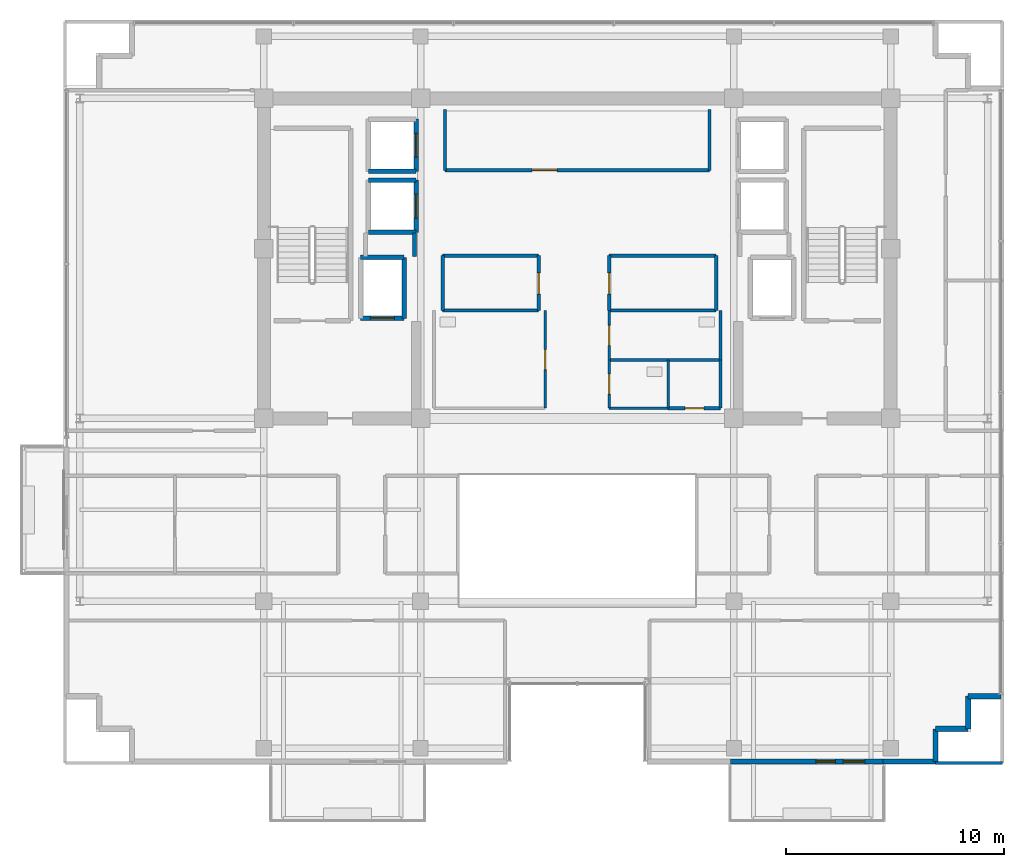
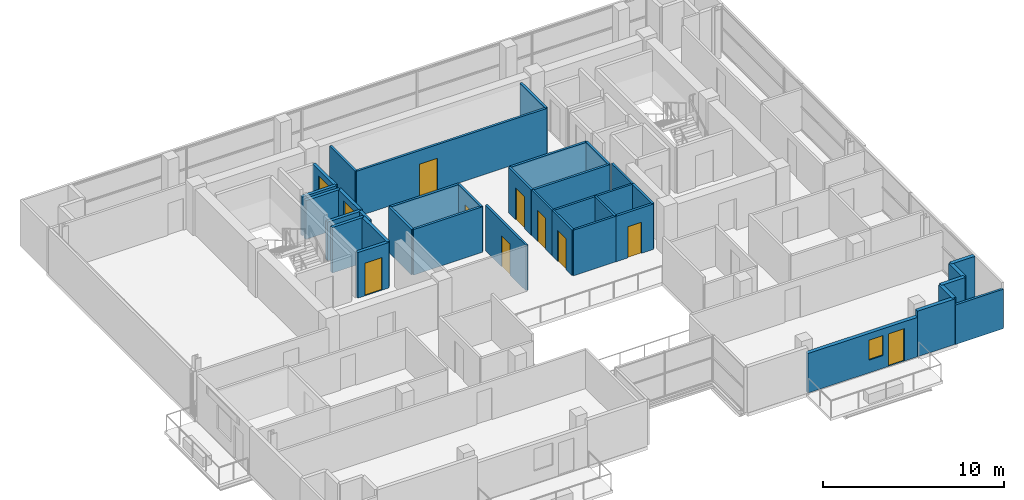
# One storey, part 16 of 22: 36 walls, 11 doors, 1 window, 12 openings.
"""IFC4 building model written with IfcOpenShell, lengths in metres."""

from ifc_helpers import new_model, si_unit, direction, frame, frame_2d, origin, place, context, subcontext, project, spatial, rectangle, extrude, source, transform, mapped, material, layer, layer_set, type_object, element, fill, save


model = new_model("IFC4")

# Units and contexts
model_context = context("Model", 3, precision=1e-05, world=origin(), true_north=direction((0.0, 1.0)))
body_context = subcontext(model_context, "Body", "Model", "MODEL_VIEW")
ifc_project = project(units=[si_unit("LENGTHUNIT", "METRE"), si_unit("AREAUNIT", "SQUARE_METRE"), si_unit("VOLUMEUNIT", "CUBIC_METRE"), si_unit("PLANEANGLEUNIT", "RADIAN"), si_unit("MASSUNIT", "GRAM", prefix="KILO")], contexts=[model_context])

# Site, building, storey
site_placement = place(None, origin())
site = spatial("IfcSite", under=ifc_project, at=site_placement, CompositionType="ELEMENT")
building_placement = place(site_placement, origin())
building = spatial("IfcBuilding", under=site, at=building_placement, Name="Zarnakvel Exchange Tower", CompositionType="ELEMENT")
storey_placement = place(building_placement, frame((0.0, 0.0, 215.5)))
storey = spatial("IfcBuildingStorey", under=building, at=storey_placement, Name="L60", CompositionType="ELEMENT", Elevation=215.5)

# Wall, openings, door, window
ifc_material_1 = material(Name="Precast concrete C40/50", Category="concrete")
ifc_layer_1 = layer(ifc_material_1, 0.239990234375)
ifc_layer_set_1 = layer_set([ifc_layer_1], Name="Precast concrete C40/50")
wall_type_1 = type_object("IfcWallType", Name="EW-02", PredefinedType="SOLIDWALL", material=ifc_layer_set_1)
wall_1_placement = place(storey_placement, frame((14.050048828125, -16.9599609375, 0.0), z_axis=(0.0, 0.0, 1.0), x_axis=(-1.0, 0.0, 0.0)))
wall_1 = element("IfcWall", 1, at=wall_1_placement, inside=storey, type_object=wall_type_1, Name="L60 Exterior Precast Spandrel Wall EW-BAL-L60-SE (EW-02)", PredefinedType="SOLIDWALL", context=body_context, shape_type="SweptSolid", body=[
    extrude(rectangle(XDim=7.0, YDim=0.239990234375, at=frame_2d((3.5, 0.0))), origin(), (0.0, 0.0, 1.0), 2.6650390625),
])
opening_1_placement = place(wall_1_placement, frame((0.840087890625, 0.0, 0.0)))
opening_1 = element("IfcOpeningElement", 2, at=opening_1_placement, cuts=wall_1, Name="Opening BD-L60-02", PredefinedType="OPENING", context=body_context, shape_type="SweptSolid", body=[
    extrude(rectangle(XDim=1.0, YDim=2.199951171875, at=frame_2d((0.5, 1.10009765625))), frame((0.0, 0.1298828125, 0.0), z_axis=(0.0, -1.0, 0.0), x_axis=(1.0, 0.0, 0.0)), (0.0, 0.0, 1.0), 0.260009765625),
])
opening_2_placement = place(wall_1_placement, frame((2.18994140625, 0.0, 0.85009765625)))
opening_2 = element("IfcOpeningElement", 3, at=opening_2_placement, cuts=wall_1, Name="Opening WN-06", PredefinedType="OPENING", context=body_context, shape_type="SweptSolid", body=[
    extrude(rectangle(XDim=0.89990234375, YDim=1.35009765625, at=frame_2d((0.449951171875, 0.675048828125))), frame((0.0, 0.1298828125, 0.0), z_axis=(0.0, -1.0, 0.0), x_axis=(1.0, 0.0, 0.0)), (0.0, 0.0, 1.0), 0.260009765625),
])
ifc_material_2 = material(Name="Architectural Bronze Anodised Aluminium", Category="aluminium")
door_type_1 = type_object("IfcDoorType", Name="DT-09", OperationType="NOTDEFINED", PredefinedType="DOOR", material=ifc_material_2)
shared_shape_1 = source(origin(), body_context, "Body", "SweptSolid", [
    extrude(rectangle(XDim=1.0, YDim=2.199951171875, at=frame_2d((0.5, 1.10009765625))), frame((0.0, 0.02490234375, 0.0), z_axis=(0.0, -1.0, 0.0), x_axis=(1.0, 0.0, 0.0)), (0.0, 0.0, 1.0), 0.050048828125),
])
door_1_placement = place(opening_1_placement, origin())
door_1 = element("IfcDoor", 4, at=door_1_placement, inside=storey, type_object=door_type_1, Name="L60 Planted Loggia Balcony Door BD-L60-02", OperationType="SINGLE_SWING_LEFT", OverallHeight=2.199951171875, OverallWidth=1.0, PredefinedType="DOOR", context=body_context, shape_type="MappedRepresentation", body=[
    mapped(shared_shape_1, transform((0.0, 0.0, 0.0), x_axis=(1.0, 0.0, 0.0), y_axis=(0.0, 1.0, 0.0), z_axis=(0.0, 0.0, 1.0), scale=1.0)),
])
fill(opening_1, door_1)
ifc_material_3 = material(Name="Double Low-E Laminated Vision Glass", Category="glass")
window_type = type_object("IfcWindowType", Name="WN-06", PartitioningType="SINGLE_PANEL", PredefinedType="WINDOW", material=ifc_material_3)
shared_shape_2 = source(origin(), body_context, "Body", "SweptSolid", [
    extrude(rectangle(XDim=0.89990234375, YDim=1.35009765625, at=frame_2d((0.449951171875, 0.675048828125))), frame((0.0, 0.030029296875, 0.0), z_axis=(0.0, -1.0, 0.0), x_axis=(1.0, 0.0, 0.0)), (0.0, 0.0, 1.0), 0.06005859375),
])
window_placement = place(opening_2_placement, origin())
window = element("IfcWindow", 5, at=window_placement, inside=storey, type_object=window_type, Name="L60 Loggia Daylight Window (WN-06)", OverallHeight=1.35009765625, OverallWidth=0.89990234375, PartitioningType="SINGLE_PANEL", PredefinedType="WINDOW", context=body_context, shape_type="MappedRepresentation", body=[
    mapped(shared_shape_2, transform((0.0, 0.0, 0.0), x_axis=(1.0, 0.0, 0.0), y_axis=(0.0, 1.0, 0.0), z_axis=(0.0, 0.0, 1.0), scale=1.0)),
])
fill(opening_2, window)

# Walls
for number, where, z_axis, x_axis, name in (
    (6, (17.9599609375, -13.9599609375, 0.0), (0.0, 0.0, 1.0), (1.0, 0.0, 0.0), "L60 Exterior Precast Spandrel Wall EWC-L60-11 (EW-02)"),
    (7, (17.9599609375, -15.4599609375, 0.0), (0.0, 0.0, 1.0), (0.0, 1.0, 0.0), "L60 Exterior Precast Spandrel Wall EWC-L60-12 (EW-02)"),
    (8, (16.4599609375, -15.4599609375, 0.0), (0.0, 0.0, 1.0), (1.0, 0.0, 0.0), "L60 Exterior Precast Spandrel Wall EWC-L60-13 (EW-02)"),
    (9, (16.4599609375, -16.9599609375, 0.0), (0.0, 0.0, 1.0), (0.0, 1.0, 0.0), "L60 Exterior Precast Spandrel Wall EWC-L60-14 (EW-02)"),
):
    element("IfcWall", number, at=place(storey_placement, frame(where, z_axis=z_axis, x_axis=x_axis)), inside=storey, type_object=wall_type_1, Name=name, PredefinedType="SOLIDWALL", context=body_context, shape_type="SweptSolid", body=[
        extrude(rectangle(XDim=1.5, YDim=0.239990234375, at=frame_2d((0.75, 0.0))), origin(), (0.0, 0.0, 1.0), 3.074951171875),
    ])
wall_2_placement = place(storey_placement, frame((14.050048828125, -16.9599609375, 0.0), z_axis=(0.0, 0.0, 1.0), x_axis=(1.0, 0.0, 0.0)))
element("IfcWall", 10, at=wall_2_placement, inside=storey, type_object=wall_type_1, Name="L60 Exterior Precast Spandrel Wall EWC-L60-15 (EW-02)", PredefinedType="SOLIDWALL", context=body_context, shape_type="SweptSolid", body=[
    extrude(rectangle(XDim=2.409912109375, YDim=0.239990234375, at=frame_2d((1.205078125, 0.0))), origin(), (0.0, 0.0, 1.0), 3.074951171875),
])

# Wall, opening, door
ifc_material_4 = material(Name="Fire-Rated Gypsum Stud Partition", Category="gypsum")
ifc_layer_2 = layer(ifc_material_4, 0.14990234375)
ifc_layer_set_2 = layer_set([ifc_layer_2], Name="Fire-Rated Gypsum Stud Partition")
wall_type_2 = type_object("IfcWallType", Name="PT-01", PredefinedType="PARTITIONING", material=ifc_layer_set_2)
wall_3_placement = place(storey_placement, frame((6.080078125, 10.199951171875, 0.0), z_axis=(0.0, 0.0, 1.0), x_axis=(-1.0, 0.0, 0.0)))
wall_3 = element("IfcWall", 11, at=wall_3_placement, inside=storey, type_object=wall_type_2, Name="L60 Partition Wall PWALL-L60-011 (PT-01)", PredefinedType="PARTITIONING", context=body_context, shape_type="SweptSolid", body=[
    extrude(rectangle(XDim=12.16015625, YDim=0.14990234375, at=frame_2d((6.080078125, 0.0))), origin(), (0.0, 0.0, 1.0), 3.074951171875),
])
opening_3_placement = place(wall_3_placement, frame((7.0048828125, 0.0, 0.0)))
opening_3 = element("IfcOpeningElement", 12, at=opening_3_placement, cuts=wall_3, Name="Opening D-L60-05", PredefinedType="OPENING", context=body_context, shape_type="SweptSolid", body=[
    extrude(rectangle(XDim=1.14990234375, YDim=2.14990234375, at=frame_2d((0.574951171875, 1.074951171875))), frame((0.0, 0.0849609375, 0.0), z_axis=(0.0, -1.0, 0.0), x_axis=(1.0, 0.0, 0.0)), (0.0, 0.0, 1.0), 0.169921875),
])
ifc_material_5 = material(Name="Painted Galvanised Steel S355", Category="steel")
door_type_2 = type_object("IfcDoorType", Name="DT-04", OperationType="NOTDEFINED", PredefinedType="DOOR", material=ifc_material_5)
shared_shape_3 = source(origin(), body_context, "Body", "SweptSolid", [
    extrude(rectangle(XDim=1.14990234375, YDim=2.14990234375, at=frame_2d((0.574951171875, 1.074951171875))), frame((0.0, 0.02490234375, 0.0), z_axis=(0.0, -1.0, 0.0), x_axis=(1.0, 0.0, 0.0)), (0.0, 0.0, 1.0), 0.050048828125),
])
door_2_placement = place(opening_3_placement, origin())
door_2 = element("IfcDoor", 13, at=door_2_placement, inside=storey, type_object=door_type_2, Name="L60 Market Data Archive Suite Door D-L60-05", OperationType="SINGLE_SWING_LEFT", OverallHeight=2.14990234375, OverallWidth=1.14990234375, PredefinedType="DOOR", context=body_context, shape_type="MappedRepresentation", body=[
    mapped(shared_shape_3, transform((0.0, 0.0, 0.0), x_axis=(1.0, 0.0, 0.0), y_axis=(0.0, 1.0, 0.0), z_axis=(0.0, 0.0, 1.0), scale=1.0)),
])
fill(opening_3, door_2)

# Walls
for number, where, z_axis, x_axis, name in (
    (14, (-6.080078125, 10.199951171875, 0.0), (0.0, 0.0, 1.0), (0.0, 1.0, 0.0), "L60 Partition Wall PWALL-L60-012 (PT-01)"),
    (15, (6.080078125, 13.0, 0.0), (0.0, 0.0, 1.0), (0.0, -1.0, 0.0), "L60 Partition Wall PWALL-L60-013 (PT-01)"),
):
    element("IfcWall", number, at=place(storey_placement, frame(where, z_axis=z_axis, x_axis=x_axis)), inside=storey, type_object=wall_type_2, Name=name, PredefinedType="PARTITIONING", context=body_context, shape_type="SweptSolid", body=[
        extrude(rectangle(XDim=2.800048828125, YDim=0.14990234375, at=frame_2d((1.39990234375, 0.0))), origin(), (0.0, 0.0, 1.0), 3.074951171875),
    ])
for number, where, z_axis, x_axis, name in (
    (16, (-1.77001953125, 3.760009765625, 0.0), (0.0, 0.0, 1.0), (-1.0, 0.0, 0.0), "L60 Partition Wall PWALL-L60-014 (PT-01)"),
    (17, (-6.179931640625, 6.280029296875, 0.0), (0.0, 0.0, 1.0), (1.0, 0.0, 0.0), "L60 Partition Wall PWALL-L60-015 (PT-01)"),
):
    element("IfcWall", number, at=place(storey_placement, frame(where, z_axis=z_axis, x_axis=x_axis)), inside=storey, type_object=wall_type_2, Name=name, PredefinedType="PARTITIONING", context=body_context, shape_type="SweptSolid", body=[
        extrude(rectangle(XDim=4.409912109375, YDim=0.14990234375, at=frame_2d((2.205078125, 0.0))), origin(), (0.0, 0.0, 1.0), 3.074951171875),
    ])
wall_4_placement = place(storey_placement, frame((-6.179931640625, 3.760009765625, 0.0), z_axis=(0.0, 0.0, 1.0), x_axis=(0.0, 1.0, 0.0)))
element("IfcWall", 18, at=wall_4_placement, inside=storey, type_object=wall_type_2, Name="L60 Partition Wall PWALL-L60-016 (PT-01)", PredefinedType="PARTITIONING", context=body_context, shape_type="SweptSolid", body=[
    extrude(rectangle(XDim=2.52001953125, YDim=0.14990234375, at=frame_2d((1.260009765625, 0.0))), origin(), (0.0, 0.0, 1.0), 3.074951171875),
])

# Wall, opening, door
wall_5_placement = place(storey_placement, frame((-1.77001953125, 6.280029296875, 0.0), z_axis=(0.0, 0.0, 1.0), x_axis=(0.0, -1.0, 0.0)))
wall_5 = element("IfcWall", 19, at=wall_5_placement, inside=storey, type_object=wall_type_2, Name="L60 Partition Wall PWALL-L60-017 (PT-01)", PredefinedType="PARTITIONING", context=body_context, shape_type="SweptSolid", body=[
    extrude(rectangle(XDim=2.52001953125, YDim=0.14990234375, at=frame_2d((1.260009765625, 0.0))), origin(), (0.0, 0.0, 1.0), 3.074951171875),
])
opening_4_placement = place(wall_5_placement, frame((0.7900390625, 0.0, 0.0)))
opening_4 = element("IfcOpeningElement", 20, at=opening_4_placement, cuts=wall_5, Name="Opening D-L60-06", PredefinedType="OPENING", context=body_context, shape_type="SweptSolid", body=[
    extrude(rectangle(XDim=0.97998046875, YDim=2.14990234375, at=frame_2d((0.489990234375, 1.074951171875))), frame((0.0, 0.0849609375, 0.0), z_axis=(0.0, -1.0, 0.0), x_axis=(1.0, 0.0, 0.0)), (0.0, 0.0, 1.0), 0.169921875),
])
ifc_material_6 = material(Name="Timber Acoustic Veneer", Category="wood")
door_type_3 = type_object("IfcDoorType", Name="DT-05", OperationType="NOTDEFINED", PredefinedType="DOOR", material=ifc_material_6)
shared_shape_4 = source(origin(), body_context, "Body", "SweptSolid", [
    extrude(rectangle(XDim=0.97998046875, YDim=2.14990234375, at=frame_2d((0.489990234375, 1.074951171875))), frame((0.0, 0.02490234375, 0.0), z_axis=(0.0, -1.0, 0.0), x_axis=(1.0, 0.0, 0.0)), (0.0, 0.0, 1.0), 0.050048828125),
])
door_3_placement = place(opening_4_placement, origin())
door_3 = element("IfcDoor", 21, at=door_3_placement, inside=storey, type_object=door_type_3, Name="L60 Sovereign Compliance Office Door D-L60-06", OperationType="SINGLE_SWING_RIGHT", OverallHeight=2.14990234375, OverallWidth=0.97998046875, PredefinedType="DOOR", context=body_context, shape_type="MappedRepresentation", body=[
    mapped(shared_shape_4, transform((0.0, 0.0, 0.0), x_axis=(1.0, 0.0, 0.0), y_axis=(0.0, 1.0, 0.0), z_axis=(0.0, 0.0, 1.0), scale=1.0)),
])
fill(opening_4, door_3)

# Walls
for number, where, z_axis, x_axis, name in (
    (22, (6.3798828125, 3.760009765625, 0.0), (0.0, 0.0, 1.0), (-1.0, 0.0, 0.0), "L60 Partition Wall PWALL-L60-018 (PT-01)"),
    (23, (1.469970703125, 6.280029296875, 0.0), (0.0, 0.0, 1.0), (1.0, 0.0, 0.0), "L60 Partition Wall PWALL-L60-019 (PT-01)"),
):
    element("IfcWall", number, at=place(storey_placement, frame(where, z_axis=z_axis, x_axis=x_axis)), inside=storey, type_object=wall_type_2, Name=name, PredefinedType="PARTITIONING", context=body_context, shape_type="SweptSolid", body=[
        extrude(rectangle(XDim=4.909912109375, YDim=0.14990234375, at=frame_2d((2.455078125, 0.0))), origin(), (0.0, 0.0, 1.0), 3.074951171875),
    ])

# Wall, opening, door
wall_6_placement = place(storey_placement, frame((1.469970703125, 3.760009765625, 0.0), z_axis=(0.0, 0.0, 1.0), x_axis=(0.0, 1.0, 0.0)))
wall_6 = element("IfcWall", 24, at=wall_6_placement, inside=storey, type_object=wall_type_2, Name="L60 Partition Wall PWALL-L60-020 (PT-01)", PredefinedType="PARTITIONING", context=body_context, shape_type="SweptSolid", body=[
    extrude(rectangle(XDim=2.52001953125, YDim=0.14990234375, at=frame_2d((1.260009765625, 0.0))), origin(), (0.0, 0.0, 1.0), 3.074951171875),
])
opening_5_placement = place(wall_6_placement, frame((0.75, 0.0, 0.0)))
opening_5 = element("IfcOpeningElement", 25, at=opening_5_placement, cuts=wall_6, Name="Opening D-L60-07", PredefinedType="OPENING", context=body_context, shape_type="SweptSolid", body=[
    extrude(rectangle(XDim=0.97998046875, YDim=2.14990234375, at=frame_2d((0.489990234375, 1.074951171875))), frame((0.0, 0.0849609375, 0.0), z_axis=(0.0, -1.0, 0.0), x_axis=(1.0, 0.0, 0.0)), (0.0, 0.0, 1.0), 0.169921875),
])
door_4_placement = place(opening_5_placement, origin())
door_4 = element("IfcDoor", 26, at=door_4_placement, inside=storey, type_object=door_type_3, Name="L60 Depository Legal Office Door D-L60-07", OperationType="SINGLE_SWING_LEFT", OverallHeight=2.14990234375, OverallWidth=0.97998046875, PredefinedType="DOOR", context=body_context, shape_type="MappedRepresentation", body=[
    mapped(shared_shape_4, transform((0.0, 0.0, 0.0), x_axis=(1.0, 0.0, 0.0), y_axis=(0.0, 1.0, 0.0), z_axis=(0.0, 0.0, 1.0), scale=1.0)),
])
fill(opening_5, door_4)

# Wall
wall_7_placement = place(storey_placement, frame((6.3798828125, 6.280029296875, 0.0), z_axis=(0.0, 0.0, 1.0), x_axis=(0.0, -1.0, 0.0)))
element("IfcWall", 27, at=wall_7_placement, inside=storey, type_object=wall_type_2, Name="L60 Partition Wall PWALL-L60-021 (PT-01)", PredefinedType="PARTITIONING", context=body_context, shape_type="SweptSolid", body=[
    extrude(rectangle(XDim=2.52001953125, YDim=0.14990234375, at=frame_2d((1.260009765625, 0.0))), origin(), (0.0, 0.0, 1.0), 3.074951171875),
])

# Wall, opening, door
wall_8_placement = place(storey_placement, frame((6.580078125, -0.72998046875, 0.0), z_axis=(0.0, 0.0, 1.0), x_axis=(-1.0, 0.0, 0.0)))
wall_8 = element("IfcWall", 28, at=wall_8_placement, inside=storey, type_object=wall_type_2, Name="L60 Partition Wall PWALL-L60-031 (PT-01)", PredefinedType="PARTITIONING", context=body_context, shape_type="SweptSolid", body=[
    extrude(rectangle(XDim=2.400146484375, YDim=0.14990234375, at=frame_2d((1.2001953125, 0.0))), origin(), (0.0, 0.0, 1.0), 3.074951171875),
])
opening_6_placement = place(wall_8_placement, frame((0.760009765625, 0.0, 0.0)))
opening_6 = element("IfcOpeningElement", 29, at=opening_6_placement, cuts=wall_8, Name="Opening D-L60-11", PredefinedType="OPENING", context=body_context, shape_type="SweptSolid", body=[
    extrude(rectangle(XDim=0.8798828125, YDim=2.10009765625, at=frame_2d((0.43994140625, 1.050048828125))), frame((0.0, 0.0849609375, 0.0), z_axis=(0.0, -1.0, 0.0), x_axis=(1.0, 0.0, 0.0)), (0.0, 0.0, 1.0), 0.169921875),
])
door_type_4 = type_object("IfcDoorType", Name="DT-08", OperationType="NOTDEFINED", PredefinedType="DOOR", material=ifc_material_5)
shared_shape_5 = source(origin(), body_context, "Body", "SweptSolid", [
    extrude(rectangle(XDim=0.8798828125, YDim=2.10009765625, at=frame_2d((0.43994140625, 1.050048828125))), frame((0.0, 0.02490234375, 0.0), z_axis=(0.0, -1.0, 0.0), x_axis=(1.0, 0.0, 0.0)), (0.0, 0.0, 1.0), 0.050048828125),
])
door_5_placement = place(opening_6_placement, origin())
door_5 = element("IfcDoor", 30, at=door_5_placement, inside=storey, type_object=door_type_4, Name="L60 Cleaners Store Door D-L60-11", OperationType="SINGLE_SWING_LEFT", OverallHeight=2.10009765625, OverallWidth=0.8798828125, PredefinedType="DOOR", context=body_context, shape_type="MappedRepresentation", body=[
    mapped(shared_shape_5, transform((0.0, 0.0, 0.0), x_axis=(1.0, 0.0, 0.0), y_axis=(0.0, 1.0, 0.0), z_axis=(0.0, 0.0, 1.0), scale=1.0)),
])
fill(opening_6, door_5)

# Walls
wall_9_placement = place(storey_placement, frame((6.580078125, 1.47998046875, 0.0), z_axis=(0.0, 0.0, 1.0), x_axis=(0.0, -1.0, 0.0)))
element("IfcWall", 31, at=wall_9_placement, inside=storey, type_object=wall_type_2, Name="L60 Partition Wall PWALL-L60-032 (PT-01)", PredefinedType="PARTITIONING", context=body_context, shape_type="SweptSolid", body=[
    extrude(rectangle(XDim=2.2099609375, YDim=0.14990234375, at=frame_2d((1.10498046875, 0.0))), origin(), (0.0, 0.0, 1.0), 3.074951171875),
])
wall_10_placement = place(storey_placement, frame((19.530029296875, -17.030029296875, 0.0), z_axis=(0.0, 0.0, 1.0), x_axis=(-1.0, 0.0, 0.0)))
element("IfcWall", 32, at=wall_10_placement, inside=storey, type_object=wall_type_2, Name="L60 Partition Wall PWALL-L60-051 (PT-01)", PredefinedType="PARTITIONING", context=body_context, shape_type="SweptSolid", body=[
    extrude(rectangle(XDim=3.070068359375, YDim=0.14990234375, at=frame_2d((1.53515625, 0.0))), origin(), (0.0, 0.0, 1.0), 2.6650390625),
])
ifc_layer_3 = layer(ifc_material_4, 0.179931640625)
ifc_layer_set_3 = layer_set([ifc_layer_3], Name="Fire-Rated Gypsum Stud Partition")
wall_type_3 = type_object("IfcWallType", Name="PT-02", PredefinedType="PARTITIONING", material=ifc_layer_set_3)
wall_11_placement = place(storey_placement, frame((-7.469970703125, 7.330078125, 0.0), z_axis=(0.0, 0.0, 1.0), x_axis=(0.0, -1.0, 0.0)))
element("IfcWall", 33, at=wall_11_placement, inside=storey, type_object=wall_type_3, Name="L60 Partition Wall PWALL-L60-008 (PT-02)", PredefinedType="PARTITIONING", context=body_context, shape_type="SweptSolid", body=[
    extrude(rectangle(XDim=1.090087890625, YDim=0.179931640625, at=frame_2d((0.544921875, 0.0))), origin(), (0.0, 0.0, 1.0), 2.614990234375),
])

# Wall, opening, door
ifc_material_7 = material(Name="Moisture-Resistant Tile-Faced Partition", Category="gypsum")
ifc_layer_4 = layer(ifc_material_7, 0.135009765625)
ifc_layer_set_4 = layer_set([ifc_layer_4], Name="Moisture-Resistant Tile-Faced Partition")
wall_type_4 = type_object("IfcWallType", Name="PT-03", PredefinedType="PARTITIONING", material=ifc_layer_set_4)
wall_12_placement = place(storey_placement, frame((-1.469970703125, 3.760009765625, 0.0), z_axis=(0.0, 0.0, 1.0), x_axis=(0.0, -1.0, 0.0)))
wall_12 = element("IfcWall", 34, at=wall_12_placement, inside=storey, type_object=wall_type_4, Name="L60 Partition Wall PWALL-L60-024 (PT-03)", PredefinedType="PARTITIONING", context=body_context, shape_type="SweptSolid", body=[
    extrude(rectangle(XDim=4.489990234375, YDim=0.135009765625, at=frame_2d((2.2451171875, 0.0))), origin(), (0.0, 0.0, 1.0), 3.074951171875),
])
opening_7_placement = place(wall_12_placement, frame((1.800048828125, 0.0, 0.0)))
opening_7 = element("IfcOpeningElement", 35, at=opening_7_placement, cuts=wall_12, Name="Opening D-L60-08", PredefinedType="OPENING", context=body_context, shape_type="SweptSolid", body=[
    extrude(rectangle(XDim=0.919921875, YDim=2.10009765625, at=frame_2d((0.4599609375, 1.050048828125))), frame((0.0, 0.077392578125, 0.0), z_axis=(0.0, -1.0, 0.0), x_axis=(1.0, 0.0, 0.0)), (0.0, 0.0, 1.0), 0.155029296875),
])
ifc_material_8 = material(Name="Moisture-Resistant Laminate Timber", Category="wood")
door_type_5 = type_object("IfcDoorType", Name="DT-07", OperationType="NOTDEFINED", PredefinedType="DOOR", material=ifc_material_8)
shared_shape_6 = source(origin(), body_context, "Body", "SweptSolid", [
    extrude(rectangle(XDim=0.919921875, YDim=2.10009765625, at=frame_2d((0.4599609375, 1.050048828125))), frame((0.0, 0.02490234375, 0.0), z_axis=(0.0, -1.0, 0.0), x_axis=(1.0, 0.0, 0.0)), (0.0, 0.0, 1.0), 0.050048828125),
])
door_6_placement = place(opening_7_placement, origin())
door_6 = element("IfcDoor", 36, at=door_6_placement, inside=storey, type_object=door_type_5, Name="L60 Male Toilet Door D-L60-08", OperationType="SINGLE_SWING_RIGHT", OverallHeight=2.10009765625, OverallWidth=0.919921875, PredefinedType="DOOR", context=body_context, shape_type="MappedRepresentation", body=[
    mapped(shared_shape_6, transform((0.0, 0.0, 0.0), x_axis=(1.0, 0.0, 0.0), y_axis=(0.0, 1.0, 0.0), z_axis=(0.0, 0.0, 1.0), scale=1.0)),
])
fill(opening_7, door_6)

# Wall
wall_13_placement = place(storey_placement, frame((6.580078125, 1.47998046875, 0.0), z_axis=(0.0, 0.0, 1.0), x_axis=(-1.0, 0.0, 0.0)))
element("IfcWall", 37, at=wall_13_placement, inside=storey, type_object=wall_type_4, Name="L60 Partition Wall PWALL-L60-025 (PT-03)", PredefinedType="PARTITIONING", context=body_context, shape_type="SweptSolid", body=[
    extrude(rectangle(XDim=5.110107421875, YDim=0.135009765625, at=frame_2d((2.55517578125, 0.0))), origin(), (0.0, 0.0, 1.0), 3.074951171875),
])

# Wall, opening, door
wall_14_placement = place(storey_placement, frame((1.469970703125, 1.47998046875, 0.0), z_axis=(0.0, 0.0, 1.0), x_axis=(0.0, 1.0, 0.0)))
wall_14 = element("IfcWall", 38, at=wall_14_placement, inside=storey, type_object=wall_type_4, Name="L60 Partition Wall PWALL-L60-026 (PT-03)", PredefinedType="PARTITIONING", context=body_context, shape_type="SweptSolid", body=[
    extrude(rectangle(XDim=2.280029296875, YDim=0.135009765625, at=frame_2d((1.14013671875, 0.0))), origin(), (0.0, 0.0, 1.0), 3.074951171875),
])
opening_8_placement = place(wall_14_placement, frame((0.679931640625, 0.0, 0.0)))
opening_8 = element("IfcOpeningElement", 39, at=opening_8_placement, cuts=wall_14, Name="Opening D-L60-09", PredefinedType="OPENING", context=body_context, shape_type="SweptSolid", body=[
    extrude(rectangle(XDim=0.919921875, YDim=2.10009765625, at=frame_2d((0.4599609375, 1.050048828125))), frame((0.0, 0.077392578125, 0.0), z_axis=(0.0, -1.0, 0.0), x_axis=(1.0, 0.0, 0.0)), (0.0, 0.0, 1.0), 0.155029296875),
])
door_7_placement = place(opening_8_placement, origin())
door_7 = element("IfcDoor", 40, at=door_7_placement, inside=storey, type_object=door_type_5, Name="L60 Female Toilet Door D-L60-09", OperationType="SINGLE_SWING_LEFT", OverallHeight=2.10009765625, OverallWidth=0.919921875, PredefinedType="DOOR", context=body_context, shape_type="MappedRepresentation", body=[
    mapped(shared_shape_6, transform((0.0, 0.0, 0.0), x_axis=(1.0, 0.0, 0.0), y_axis=(0.0, 1.0, 0.0), z_axis=(0.0, 0.0, 1.0), scale=1.0)),
])
fill(opening_8, door_7)

# Walls
wall_15_placement = place(storey_placement, frame((6.580078125, 3.760009765625, 0.0), z_axis=(0.0, 0.0, 1.0), x_axis=(0.0, -1.0, 0.0)))
element("IfcWall", 41, at=wall_15_placement, inside=storey, type_object=wall_type_4, Name="L60 Partition Wall PWALL-L60-027 (PT-03)", PredefinedType="PARTITIONING", context=body_context, shape_type="SweptSolid", body=[
    extrude(rectangle(XDim=2.280029296875, YDim=0.135009765625, at=frame_2d((1.14013671875, 0.0))), origin(), (0.0, 0.0, 1.0), 3.074951171875),
])
wall_16_placement = place(storey_placement, frame((4.179931640625, -0.72998046875, 0.0), z_axis=(0.0, 0.0, 1.0), x_axis=(-1.0, 0.0, 0.0)))
element("IfcWall", 42, at=wall_16_placement, inside=storey, type_object=wall_type_4, Name="L60 Partition Wall PWALL-L60-028 (PT-03)", PredefinedType="PARTITIONING", context=body_context, shape_type="SweptSolid", body=[
    extrude(rectangle(XDim=2.7099609375, YDim=0.135009765625, at=frame_2d((1.35498046875, 0.0))), origin(), (0.0, 0.0, 1.0), 3.074951171875),
])

# Wall, opening, door
wall_17_placement = place(storey_placement, frame((1.469970703125, -0.72998046875, 0.0), z_axis=(0.0, 0.0, 1.0), x_axis=(0.0, 1.0, 0.0)))
wall_17 = element("IfcWall", 43, at=wall_17_placement, inside=storey, type_object=wall_type_4, Name="L60 Partition Wall PWALL-L60-029 (PT-03)", PredefinedType="PARTITIONING", context=body_context, shape_type="SweptSolid", body=[
    extrude(rectangle(XDim=2.2099609375, YDim=0.135009765625, at=frame_2d((1.10498046875, 0.0))), origin(), (0.0, 0.0, 1.0), 3.074951171875),
])
opening_9_placement = place(wall_17_placement, frame((0.64990234375, 0.0, 0.0)))
opening_9 = element("IfcOpeningElement", 44, at=opening_9_placement, cuts=wall_17, Name="Opening D-L60-10", PredefinedType="OPENING", context=body_context, shape_type="SweptSolid", body=[
    extrude(rectangle(XDim=0.919921875, YDim=2.10009765625, at=frame_2d((0.4599609375, 1.050048828125))), frame((0.0, 0.077392578125, 0.0), z_axis=(0.0, -1.0, 0.0), x_axis=(1.0, 0.0, 0.0)), (0.0, 0.0, 1.0), 0.155029296875),
])
door_8_placement = place(opening_9_placement, origin())
door_8 = element("IfcDoor", 45, at=door_8_placement, inside=storey, type_object=door_type_5, Name="L60 Accessible Toilet Door D-L60-10", OperationType="SINGLE_SWING_RIGHT", OverallHeight=2.10009765625, OverallWidth=0.919921875, PredefinedType="DOOR", context=body_context, shape_type="MappedRepresentation", body=[
    mapped(shared_shape_6, transform((0.0, 0.0, 0.0), x_axis=(1.0, 0.0, 0.0), y_axis=(0.0, 1.0, 0.0), z_axis=(0.0, 0.0, 1.0), scale=1.0)),
])
fill(opening_9, door_8)

# Wall
wall_18_placement = place(storey_placement, frame((4.179931640625, 1.47998046875, 0.0), z_axis=(0.0, 0.0, 1.0), x_axis=(0.0, -1.0, 0.0)))
element("IfcWall", 46, at=wall_18_placement, inside=storey, type_object=wall_type_4, Name="L60 Partition Wall PWALL-L60-030 (PT-03)", PredefinedType="PARTITIONING", context=body_context, shape_type="SweptSolid", body=[
    extrude(rectangle(XDim=2.2099609375, YDim=0.135009765625, at=frame_2d((1.10498046875, 0.0))), origin(), (0.0, 0.0, 1.0), 3.074951171875),
])

# Wall, opening, door
ifc_material_9 = material(Name="Concrete C40/50", Category="concrete")
ifc_layer_5 = layer(ifc_material_9, 0.199951171875)
ifc_layer_set_5 = layer_set([ifc_layer_5], Name="Concrete C40/50")
wall_type_5 = type_object("IfcWallType", Name="SW-01", PredefinedType="SOLIDWALL", material=ifc_layer_set_5)
wall_19_placement = place(storey_placement, frame((-7.949951171875, 3.39990234375, 0.0), z_axis=(0.0, 0.0, 1.0), x_axis=(-1.0, 0.0, 0.0)))
wall_19 = element("IfcWall", 47, at=wall_19_placement, inside=storey, type_object=wall_type_5, Name="L60 FL-01 Hoistway Wall South", PredefinedType="SOLIDWALL", context=body_context, shape_type="SweptSolid", body=[
    extrude(rectangle(XDim=2.0, YDim=0.199951171875, at=frame_2d((1.0, 0.0))), origin(), (0.0, 0.0, 1.0), 3.074951171875),
])
opening_10_placement = place(wall_19_placement, frame((0.449951171875, 0.0, 0.0)))
opening_10 = element("IfcOpeningElement", 48, at=opening_10_placement, cuts=wall_19, Name="Opening LD-FL-01-L60", PredefinedType="OPENING", context=body_context, shape_type="SweptSolid", body=[
    extrude(rectangle(XDim=1.10009765625, YDim=2.199951171875, at=frame_2d((0.550048828125, 1.10009765625))), frame((0.0, 0.10986328125, 0.0), z_axis=(0.0, -1.0, 0.0), x_axis=(1.0, 0.0, 0.0)), (0.0, 0.0, 1.0), 0.219970703125),
])
ifc_material_10 = material(Name="Brushed Stainless Steel", Category="steel")
door_type_6 = type_object("IfcDoorType", Name="LDT-01", OperationType="NOTDEFINED", PredefinedType="DOOR", material=ifc_material_10)
shared_shape_7 = source(origin(), body_context, "Body", "SweptSolid", [
    extrude(rectangle(XDim=1.10009765625, YDim=2.199951171875, at=frame_2d((0.550048828125, 1.10009765625))), frame((0.0, 0.02490234375, 0.0), z_axis=(0.0, -1.0, 0.0), x_axis=(1.0, 0.0, 0.0)), (0.0, 0.0, 1.0), 0.050048828125),
])
door_9_placement = place(opening_10_placement, origin())
door_9 = element("IfcDoor", 49, at=door_9_placement, inside=storey, type_object=door_type_6, Name="L60 FL-01 Lift Landing Door LD-FL-01-L60", OperationType="DOUBLE_DOOR_SLIDING", OverallHeight=2.199951171875, OverallWidth=1.10009765625, PredefinedType="DOOR", context=body_context, shape_type="MappedRepresentation", body=[
    mapped(shared_shape_7, transform((0.0, 0.0, 0.0), x_axis=(1.0, 0.0, 0.0), y_axis=(0.0, 1.0, 0.0), z_axis=(0.0, 0.0, 1.0), scale=1.0)),
])
fill(opening_10, door_9)

# Walls
wall_20_placement = place(storey_placement, frame((-9.949951171875, 6.199951171875, 0.0), z_axis=(0.0, 0.0, 1.0), x_axis=(1.0, 0.0, 0.0)))
element("IfcWall", 50, at=wall_20_placement, inside=storey, type_object=wall_type_5, Name="L60 FL-01 Hoistway Wall North", PredefinedType="SOLIDWALL", context=body_context, shape_type="SweptSolid", body=[
    extrude(rectangle(XDim=2.0, YDim=0.199951171875, at=frame_2d((1.0, 0.0))), origin(), (0.0, 0.0, 1.0), 3.074951171875),
])
wall_21_placement = place(storey_placement, frame((-7.949951171875, 6.199951171875, 0.0), z_axis=(0.0, 0.0, 1.0), x_axis=(0.0, -1.0, 0.0)))
element("IfcWall", 51, at=wall_21_placement, inside=storey, type_object=wall_type_5, Name="L60 FL-01 Hoistway Wall East", PredefinedType="SOLIDWALL", context=body_context, shape_type="SweptSolid", body=[
    extrude(rectangle(XDim=2.800048828125, YDim=0.199951171875, at=frame_2d((1.39990234375, 0.0))), origin(), (0.0, 0.0, 1.0), 3.074951171875),
])
for number, where, z_axis, x_axis, name in (
    (52, (-7.39990234375, 7.35009765625, 0.0), (0.0, 0.0, 1.0), (-1.0, 0.0, 0.0), "L60 PL-09 Hoistway Wall South"),
    (53, (-9.60009765625, 9.75, 0.0), (0.0, 0.0, 1.0), (1.0, 0.0, 0.0), "L60 PL-09 Hoistway Wall North"),
):
    element("IfcWall", number, at=place(storey_placement, frame(where, z_axis=z_axis, x_axis=x_axis)), inside=storey, type_object=wall_type_5, Name=name, PredefinedType="SOLIDWALL", context=body_context, shape_type="SweptSolid", body=[
        extrude(rectangle(XDim=2.2001953125, YDim=0.199951171875, at=frame_2d((1.10009765625, 0.0))), origin(), (0.0, 0.0, 1.0), 2.614990234375),
    ])

# Wall, opening, door
wall_22_placement = place(storey_placement, frame((-7.39990234375, 9.75, 0.0), z_axis=(0.0, 0.0, 1.0), x_axis=(0.0, -1.0, 0.0)))
wall_22 = element("IfcWall", 54, at=wall_22_placement, inside=storey, type_object=wall_type_5, Name="L60 PL-09 Hoistway Wall East", PredefinedType="SOLIDWALL", context=body_context, shape_type="SweptSolid", body=[
    extrude(rectangle(XDim=2.39990234375, YDim=0.199951171875, at=frame_2d((1.199951171875, 0.0))), origin(), (0.0, 0.0, 1.0), 2.614990234375),
])
opening_11_placement = place(wall_22_placement, frame((0.64990234375, 0.0, 0.0)))
opening_11 = element("IfcOpeningElement", 55, at=opening_11_placement, cuts=wall_22, Name="Opening LD-PL-09-L60", PredefinedType="OPENING", context=body_context, shape_type="SweptSolid", body=[
    extrude(rectangle(XDim=1.10009765625, YDim=2.199951171875, at=frame_2d((0.550048828125, 1.10009765625))), frame((0.0, 0.10986328125, 0.0), z_axis=(0.0, -1.0, 0.0), x_axis=(1.0, 0.0, 0.0)), (0.0, 0.0, 1.0), 0.219970703125),
])
door_type_7 = type_object("IfcDoorType", Name="LDT-02", OperationType="NOTDEFINED", PredefinedType="DOOR", material=ifc_material_2)
door_10_placement = place(opening_11_placement, origin())
door_10 = element("IfcDoor", 56, at=door_10_placement, inside=storey, type_object=door_type_7, Name="L60 PL-09 Lift Landing Door LD-PL-09-L60", OperationType="DOUBLE_DOOR_SLIDING", OverallHeight=2.199951171875, OverallWidth=1.10009765625, PredefinedType="DOOR", context=body_context, shape_type="MappedRepresentation", body=[
    mapped(shared_shape_7, transform((0.0, 0.0, 0.0), x_axis=(1.0, 0.0, 0.0), y_axis=(0.0, 1.0, 0.0), z_axis=(0.0, 0.0, 1.0), scale=1.0)),
])
fill(opening_11, door_10)

# Wall
wall_23_placement = place(storey_placement, frame((-7.39990234375, 10.14990234375, 0.0), z_axis=(0.0, 0.0, 1.0), x_axis=(-1.0, 0.0, 0.0)))
element("IfcWall", 57, at=wall_23_placement, inside=storey, type_object=wall_type_5, Name="L60 PL-10 Hoistway Wall South", PredefinedType="SOLIDWALL", context=body_context, shape_type="SweptSolid", body=[
    extrude(rectangle(XDim=2.2001953125, YDim=0.199951171875, at=frame_2d((1.10009765625, 0.0))), origin(), (0.0, 0.0, 1.0), 2.614990234375),
])

# Wall, opening, door
wall_24_placement = place(storey_placement, frame((-7.39990234375, 12.550048828125, 0.0), z_axis=(0.0, 0.0, 1.0), x_axis=(0.0, -1.0, 0.0)))
wall_24 = element("IfcWall", 58, at=wall_24_placement, inside=storey, type_object=wall_type_5, Name="L60 PL-10 Hoistway Wall East", PredefinedType="SOLIDWALL", context=body_context, shape_type="SweptSolid", body=[
    extrude(rectangle(XDim=2.400146484375, YDim=0.199951171875, at=frame_2d((1.2001953125, 0.0))), origin(), (0.0, 0.0, 1.0), 2.614990234375),
])
opening_12_placement = place(wall_24_placement, frame((0.64990234375, 0.0, 0.0)))
opening_12 = element("IfcOpeningElement", 59, at=opening_12_placement, cuts=wall_24, Name="Opening LD-PL-10-L60", PredefinedType="OPENING", context=body_context, shape_type="SweptSolid", body=[
    extrude(rectangle(XDim=1.10009765625, YDim=2.199951171875, at=frame_2d((0.550048828125, 1.10009765625))), frame((0.0, 0.10986328125, 0.0), z_axis=(0.0, -1.0, 0.0), x_axis=(1.0, 0.0, 0.0)), (0.0, 0.0, 1.0), 0.219970703125),
])
door_11_placement = place(opening_12_placement, origin())
door_11 = element("IfcDoor", 60, at=door_11_placement, inside=storey, type_object=door_type_7, Name="L60 PL-10 Lift Landing Door LD-PL-10-L60", OperationType="DOUBLE_DOOR_SLIDING", OverallHeight=2.199951171875, OverallWidth=1.10009765625, PredefinedType="DOOR", context=body_context, shape_type="MappedRepresentation", body=[
    mapped(shared_shape_7, transform((0.0, 0.0, 0.0), x_axis=(1.0, 0.0, 0.0), y_axis=(0.0, 1.0, 0.0), z_axis=(0.0, 0.0, 1.0), scale=1.0)),
])
fill(opening_12, door_11)

save(model, "model.ifc")
